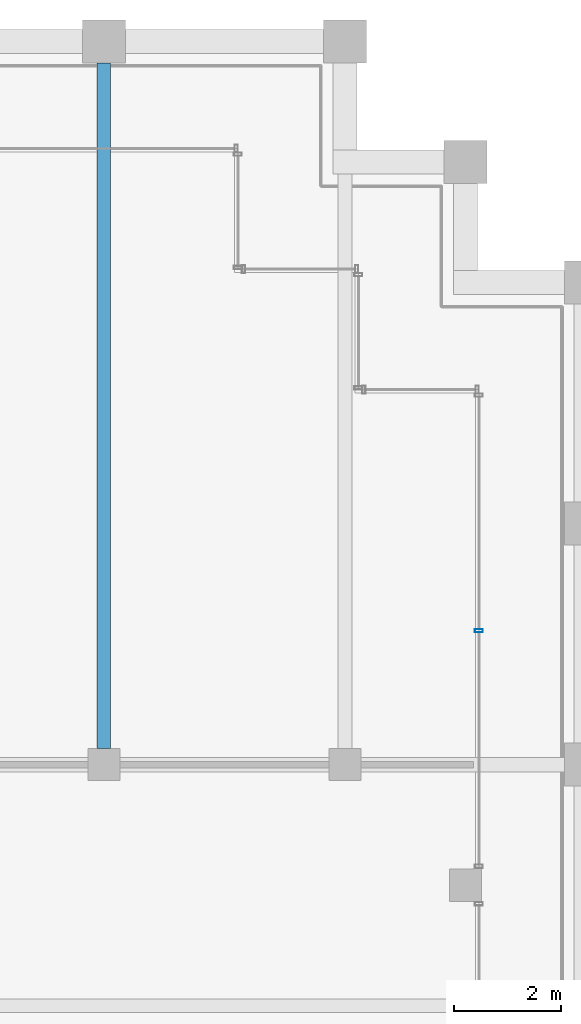
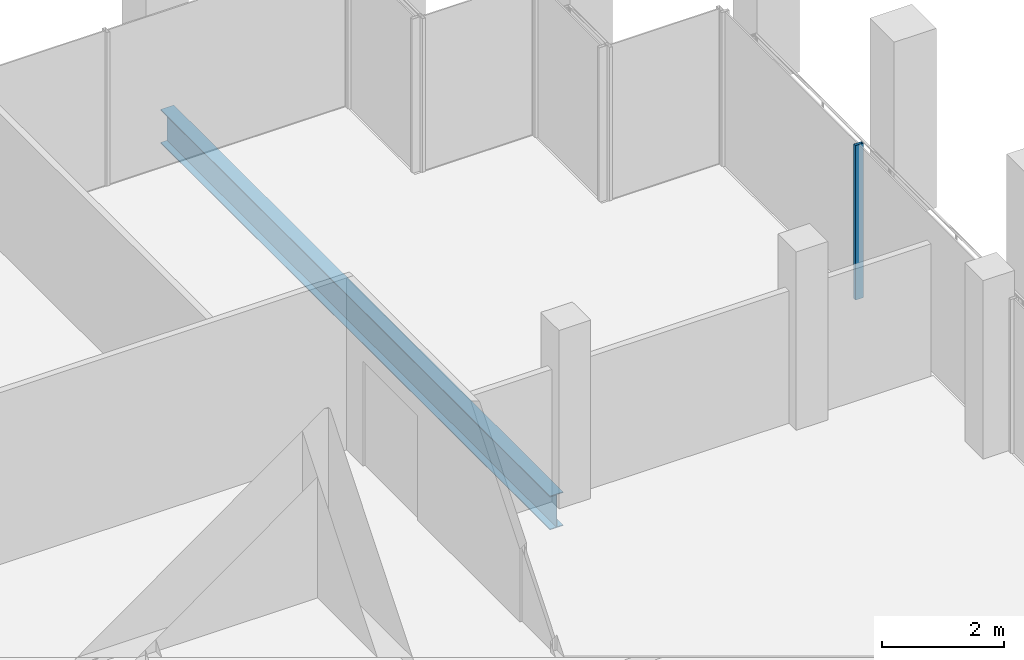
# One storey, part 24 of 30: 1 beam, 1 member, 1 element without a shape of its own.
"""IFC4 building model written with IfcOpenShell, lengths in metres."""

import ifcopenshell
import ifcopenshell.guid

model = None  # the IFC model being written
_history = None  # IfcOwnerHistory: only IFC2X3 demands one
_inside = {}  # id of a spatial element -> (the spatial element, [elements in it])
_under = {}  # id of a project, library or spatial element -> (it, [spatial elements below it])
_declared = {}  # id of a project -> (the project, [libraries it declares])
_typed = {}  # id of a type object -> (the type object, [elements of that type])
_made_of = {}  # id of a material, layer set ... -> (it, [elements and type objects made of it])


def new_model(schema):
    """Start an empty IFC model of exactly this schema.

    Asked for "IFC4X3", IfcOpenShell would pick the latest addendum, in which some entities
    have other attributes; the version numbers below select the first issue.
    IFC2X3 requires an IfcOwnerHistory on every rooted entity: one is made here for all.
    """
    global model, _history
    if schema == "IFC4X3":
        model = ifcopenshell.file(schema_version=(4, 3, 0, 0))
    else:
        model = ifcopenshell.file(schema=schema)
    _inside.clear()
    _under.clear()
    _declared.clear()
    _typed.clear()
    _made_of.clear()
    _history = None
    if model.schema == "IFC2X3":
        org = make("IfcOrganization", Name="unknown")
        user = make(
            "IfcPersonAndOrganization",
            ThePerson=make("IfcPerson", FamilyName="unknown"),
            TheOrganization=org,
        )
        app = make(
            "IfcApplication",
            ApplicationDeveloper=org,
            Version="unknown",
            ApplicationFullName="unknown",
            ApplicationIdentifier="unknown",
        )
        _history = make(
            "IfcOwnerHistory",
            OwningUser=user,
            OwningApplication=app,
            ChangeAction="ADDED",
            CreationDate=0,
        )
    return model


def make(cls, **values):
    """One entity of the class cls with the attributes given. An attribute that is None is left unset."""
    return model.create_entity(
        cls, **{name: value for name, value in values.items() if value is not None}
    )


def rooted(cls, **values):
    """An entity with a GlobalId (a new one), such as an element, a storey or a relation."""
    return make(cls, GlobalId=ifcopenshell.guid.new(), OwnerHistory=_history, **values)


def si_unit(unit_type, name, prefix=None):
    """IfcSIUnit, for example si_unit("LENGTHUNIT", "METRE", prefix="MILLI")."""
    return make("IfcSIUnit", UnitType=unit_type, Prefix=prefix, Name=name)


def assignment(units):
    """IfcUnitAssignment: the units of a project."""
    return None if units is None else make("IfcUnitAssignment", Units=units)


def point(xyz):
    """IfcCartesianPoint."""
    return None if xyz is None else make("IfcCartesianPoint", Coordinates=xyz)


def direction(xyz):
    """IfcDirection."""
    return None if xyz is None else make("IfcDirection", DirectionRatios=xyz)


def frame(location, z_axis=None, x_axis=None):
    """IfcAxis2Placement3D, a coordinate frame: its origin and axes. An axis left out is left unset."""
    return make(
        "IfcAxis2Placement3D",
        Location=point(location),
        Axis=direction(z_axis),
        RefDirection=direction(x_axis),
    )


def frame_2d(location, x_axis=None):
    """IfcAxis2Placement2D, a coordinate frame in the plane: its origin and x axis."""
    return make(
        "IfcAxis2Placement2D", Location=point(location), RefDirection=direction(x_axis)
    )


def origin():
    """The frame at (0, 0, 0) with its axes left unset."""
    return frame((0.0, 0.0, 0.0))


def origin_2d():
    """The frame at (0, 0) in the plane with its x axis left unset."""
    return frame_2d((0.0, 0.0))


def place(relative_to, where):
    """IfcLocalPlacement: puts the frame where relative to a parent placement (None: the world)."""
    return make(
        "IfcLocalPlacement", PlacementRelTo=relative_to, RelativePlacement=where
    )


def context(
    kind, dimensions, precision=None, world=None, true_north=None, identifier=None
):
    """IfcGeometricRepresentationContext, for example the 3D "Model" context."""
    return make(
        "IfcGeometricRepresentationContext",
        ContextIdentifier=identifier,
        ContextType=kind,
        CoordinateSpaceDimension=dimensions,
        Precision=precision,
        WorldCoordinateSystem=world,
        TrueNorth=true_north,
    )


def subcontext(parent, identifier, kind, view, scale=None):
    """IfcGeometricRepresentationSubContext, for example "Body" below "Model"."""
    return make(
        "IfcGeometricRepresentationSubContext",
        ContextIdentifier=identifier,
        ContextType=kind,
        ParentContext=parent,
        TargetScale=scale,
        TargetView=view,
    )


def project(units=None, contexts=None):
    """IfcProject with its units and contexts."""
    return rooted(
        "IfcProject",
        Name="project",
        RepresentationContexts=contexts,
        UnitsInContext=assignment(units),
    )


def spatial(cls, under=None, at=None, **own):
    """A site, building, storey or space (cls), placed at a placement, below another one or the project."""
    s = rooted(cls, ObjectPlacement=at, **own)
    if under is not None:
        _under.setdefault(under.id(), (under, []))[1].append(s)
    return s


def profile(cls, at=None, kind="AREA", **sizes):
    """A parametric profile (cls). Its sizes go by their IFC names, for example OverallWidth=200.0."""
    return make(cls, ProfileType=kind, Position=at, **sizes)


def hollow_rectangle(**sizes):
    """IfcRectangleHollowProfileDef."""
    return profile("IfcRectangleHollowProfileDef", **sizes)


def i_section(**sizes):
    """IfcIShapeProfileDef."""
    return profile("IfcIShapeProfileDef", **sizes)


def extrude(swept, where, along, depth):
    """IfcExtrudedAreaSolid: the profile swept, set in the frame where, extruded along a direction by depth."""
    return make(
        "IfcExtrudedAreaSolid",
        SweptArea=swept,
        Position=where,
        ExtrudedDirection=direction(along),
        Depth=depth,
    )


def shape(context_of_items, identifier, shape_type, items):
    """IfcShapeRepresentation: the items that make up one representation, for example the "Body"."""
    return make(
        "IfcShapeRepresentation",
        ContextOfItems=context_of_items,
        RepresentationIdentifier=identifier,
        RepresentationType=shape_type,
        Items=items,
    )


def material(Name=None, Category=None):
    """IfcMaterial."""
    return make("IfcMaterial", Name=Name, Category=Category)


def material_profile(
    of_material, cross_section, Name=None, Category=None, Priority=None
):
    """IfcMaterialProfile: a cross section and its material."""
    return make(
        "IfcMaterialProfile",
        Name=Name,
        Material=of_material,
        Profile=cross_section,
        Priority=Priority,
        Category=Category,
    )


def profile_set(profiles, Name=None, composite=None):
    """IfcMaterialProfileSet."""
    return make(
        "IfcMaterialProfileSet",
        Name=Name,
        MaterialProfiles=profiles,
        CompositeProfile=composite,
    )


def made_of(thing, what):
    """Note that an element or type object is made of a material, layer set ...; save() writes the relation."""
    if what is not None:
        _made_of.setdefault(what.id(), (what, []))[1].append(thing)
    return thing


def type_object(cls, material=None, **own):
    """A type object (cls), such as IfcWallType, which elements share."""
    return made_of(rooted(cls, **own), material)


def element(
    cls,
    number,
    at=None,
    inside=None,
    cuts=None,
    type_object=None,
    material=None,
    context=None,
    identifier="Body",
    shape_type=None,
    held_by="IfcProductDefinitionShape",
    body=None,
    shapes=None,
    **own,
):
    """One element of the class cls, such as IfcWall. Its Tag is "e" and its number.

    at: its placement. inside: the storey or other place that contains it. cuts: it is an
    opening in that element (IfcRelVoidsElement). A single representation is given by context,
    identifier, shape_type and body (its items); several are given by shapes. held_by: the class
    of the entity that holds the representations. save() writes the other relations.
    """
    e = rooted(cls, Tag="e%d" % number, ObjectPlacement=at, **own)
    if body is not None:
        shapes = [shape(context, identifier, shape_type, body)]
    if shapes is not None:
        e.Representation = make(held_by, Representations=shapes)
    if inside is not None:
        _inside.setdefault(inside.id(), (inside, []))[1].append(e)
    if cuts is not None:
        rooted(
            "IfcRelVoidsElement", RelatingBuildingElement=cuts, RelatedOpeningElement=e
        )
    if type_object is not None:
        _typed.setdefault(type_object.id(), (type_object, []))[1].append(e)
    return made_of(e, material)


def aggregate(whole, parts):
    """IfcRelAggregates: a whole, such as a stair, and the parts it consists of."""
    return rooted("IfcRelAggregates", RelatingObject=whole, RelatedObjects=parts)


def save(model, path):
    """Write the relations noted so far, then the file.

    IfcRelAggregates (storeys below a building ...), IfcRelContainedInSpatialStructure (elements
    in a storey), IfcRelDefinesByType, IfcRelAssociatesMaterial and IfcRelDeclares: one each for
    every whole, place, type object, material and project.
    """
    for whole, parts in _under.values():
        aggregate(whole, parts)
    for where, things in _inside.values():
        rooted(
            "IfcRelContainedInSpatialStructure",
            RelatedElements=things,
            RelatingStructure=where,
        )
    for kind, things in _typed.values():
        rooted("IfcRelDefinesByType", RelatedObjects=things, RelatingType=kind)
    for what, things in _made_of.values():
        rooted("IfcRelAssociatesMaterial", RelatedObjects=things, RelatingMaterial=what)
    for by, libraries in _declared.values():
        rooted("IfcRelDeclares", RelatingContext=by, RelatedDefinitions=libraries)
    model.write(path)


model = new_model("IFC4")

# Units and contexts
model_context = context("Model", 3, precision=1e-05, world=origin(), true_north=direction((0.0, 1.0)))
body_context = subcontext(model_context, "Body", "Model", "MODEL_VIEW")
ifc_project = project(units=[si_unit("LENGTHUNIT", "METRE"), si_unit("AREAUNIT", "SQUARE_METRE"), si_unit("VOLUMEUNIT", "CUBIC_METRE"), si_unit("PLANEANGLEUNIT", "RADIAN"), si_unit("MASSUNIT", "GRAM", prefix="KILO")], contexts=[model_context])

# Site, building, storey
site_placement = place(None, origin())
site = spatial("IfcSite", under=ifc_project, at=site_placement, CompositionType="ELEMENT")
building_placement = place(site_placement, origin())
building = spatial("IfcBuilding", under=site, at=building_placement, Name="Altepetl Exchange Towers", CompositionType="ELEMENT")
storey_placement = place(building_placement, frame((0.0, 0.0, 231.60009765625)))
storey = spatial("IfcBuildingStorey", under=building, at=storey_placement, Name="L59", CompositionType="ELEMENT", Elevation=231.60009765625)

# Beam
ifc_material_1 = material(Name="Steel S355", Category="steel")
ifc_material_profile_1 = material_profile(ifc_material_1, i_section(OverallWidth=0.2529296875, OverallDepth=0.677978515625, WebThickness=0.01171875, FlangeThickness=0.016357421875, at=origin_2d()), Name="W27X84")
ifc_profile_set_1 = profile_set([ifc_material_profile_1], Name="Steel S355")
beam_type = type_object("IfcBeamType", Name="Floor beam W27X84", PredefinedType="BEAM", material=ifc_profile_set_1)
beam_placement = place(storey_placement, frame((63.0, 58.800048828125, -0.489013671875), z_axis=(0.0, 1.0, 0.0), x_axis=(-1.0, 0.0, 0.0)))
element("IfcBeam", 1, at=beam_placement, inside=storey, type_object=beam_type, Name="bm:A:L59:004", PredefinedType="BEAM", context=body_context, shape_type="SweptSolid", body=[
    extrude(i_section(OverallWidth=0.2529296875, OverallDepth=0.677978515625, WebThickness=0.01171875, FlangeThickness=0.016357421875, at=origin_2d()), origin(), (0.0, 0.0, 1.0), 12.800048828125),
])

# Curtain wall, member
ifc_material_2 = material(Name="Aluminium 6063-T6 glazing", Category="aluminium")
curtain_wall_type = type_object("IfcCurtainWallType", Name="Loggia glazing system", PredefinedType="NOTDEFINED", material=ifc_material_2)
curtain_wall_placement = place(storey_placement, origin())
curtain_wall = element("IfcCurtainWall", 2, at=curtain_wall_placement, inside=storey, type_object=curtain_wall_type, Name="CW1 run", PredefinedType="NOTDEFINED")
ifc_material_3 = material(Name="Aluminium 6063-T6", Category="aluminium")
ifc_material_profile_2 = material_profile(ifc_material_3, hollow_rectangle(XDim=0.06005859375, YDim=0.14990234375, WallThickness=0.0029296875, at=origin_2d()), Name="Mullion 60x150 aluminium")
ifc_profile_set_2 = profile_set([ifc_material_profile_2], Name="Aluminium 6063-T6")
member_type = type_object("IfcMemberType", Name="Mullion 60x150 aluminium", PredefinedType="MULLION", material=ifc_profile_set_2)
member_placement = place(storey_placement, frame((70.0, 60.99755859375, 0.0), z_axis=(0.0, 0.0, 1.0), x_axis=(0.0, 1.0, 0.0)))
member = element("IfcMember", 3, at=member_placement, type_object=member_type, Name="MU1 mullion", PredefinedType="MULLION", context=body_context, shape_type="SweptSolid", body=[
    extrude(hollow_rectangle(XDim=0.06005859375, YDim=0.14990234375, WallThickness=0.0029296875, at=origin_2d()), origin(), (0.0, 0.0, 1.0), 3.099853515625),
])
aggregate(curtain_wall, [member])

save(model, "model.ifc")
